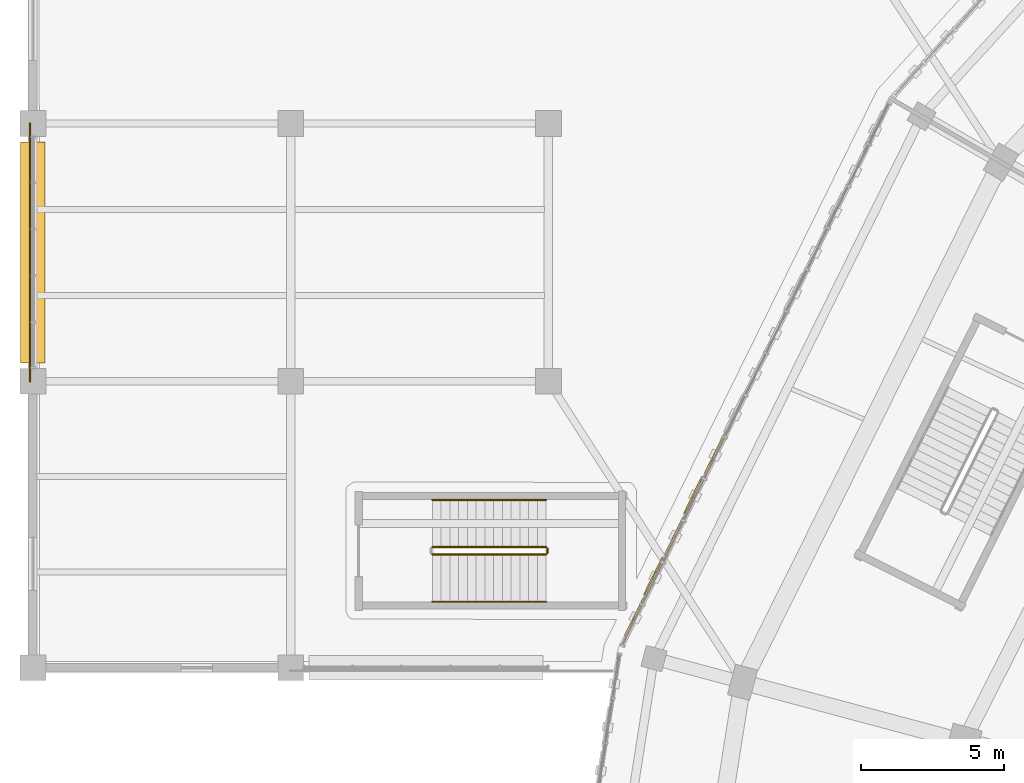
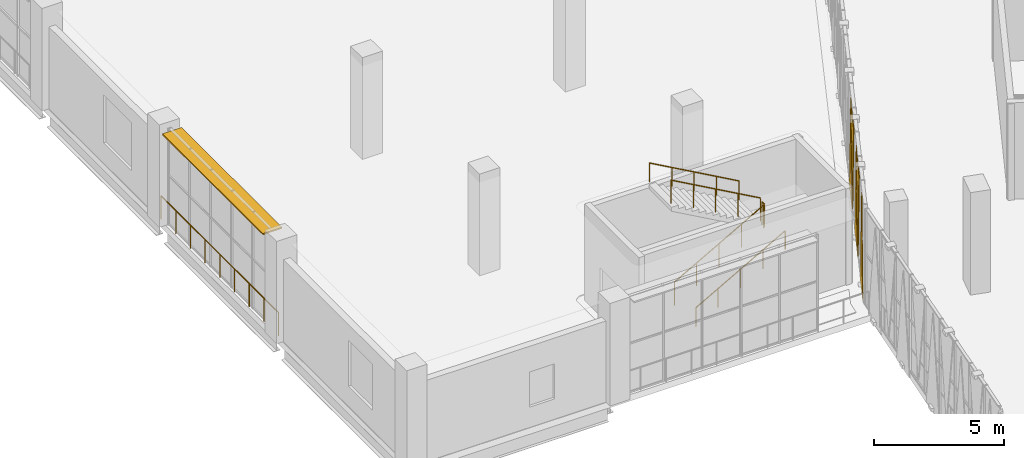
# One storey, part 140 of 183: 6 railings, 5 coverings, 1 shading device.
"""IFC4 building model written with IfcOpenShell, lengths in metres."""

from ifc_helpers import new_model, si_unit, direction, frame, origin, origin_2d, place, context, subcontext, project, spatial, polyline, rectangle, circle, outline, extrude, material, layer, layer_set, type_object, element, save


model = new_model("IFC4")

# Units and contexts
model_context = context("Model", 3, precision=1e-05, world=origin(), true_north=direction((0.0, 1.0)))
body_context = subcontext(model_context, "Body", "Model", "MODEL_VIEW")
ifc_project = project(units=[si_unit("LENGTHUNIT", "METRE"), si_unit("AREAUNIT", "SQUARE_METRE"), si_unit("VOLUMEUNIT", "CUBIC_METRE"), si_unit("PLANEANGLEUNIT", "RADIAN"), si_unit("MASSUNIT", "GRAM", prefix="KILO")], contexts=[model_context])

# Site, building, storey
site_placement = place(None, origin())
site = spatial("IfcSite", under=ifc_project, at=site_placement, CompositionType="ELEMENT")
building_placement = place(site_placement, origin())
building = spatial("IfcBuilding", under=site, at=building_placement, Name="Zevraka Park Crest Stadium", CompositionType="ELEMENT")
storey_placement = place(building_placement, frame((0.0, 0.0, 5.39990234375)))
storey = spatial("IfcBuildingStorey", under=building, at=storey_placement, Name="L01", CompositionType="ELEMENT", Elevation=5.39990234375)

# Coverings
ifc_material_1 = material(Name="Architectural golden-bronze perforated aluminium", Category="aluminium")
ifc_layer_1 = layer(ifc_material_1, 0.034912109375)
ifc_layer_set_1 = layer_set([ifc_layer_1], Name="Architectural golden-bronze perforated aluminium")
covering_type = type_object("IfcCoveringType", Name="CLD01", PredefinedType="CLADDING", material=ifc_layer_set_1)
covering_1_placement = place(storey_placement, frame((24.0830078125, 120.077880859375, -0.260009765625), z_axis=(-0.897363344103, 0.441292429655, 0.000142092747), x_axis=(-0.441292434109, -0.897363353162, 0.0)))
element("IfcCovering", 1, at=covering_1_placement, inside=storey, type_object=covering_type, Name="Triangular Golden-Bronze Perforated Cladding L01-10-9", PredefinedType="CLADDING", context=body_context, shape_type="SweptSolid", body=[
    extrude(outline(polyline([(0.0, 0.0), (1.420720312745091, -1.3552527156068805e-20), (0.710582847250989, 4.600097702688788), (0.0, 0.0)])), origin(), (0.0, 0.0, -1.0), 0.034912109375),
])
covering_2_placement = place(storey_placement, frame((22.758056640625, 117.385009765625, 4.5), z_axis=(0.897229366489, -0.441564778295, 0.000102365016), x_axis=(0.441564780609, 0.89722937119, 0.0)))
element("IfcCovering", 2, at=covering_2_placement, inside=storey, type_object=covering_type, Name="Triangular Golden-Bronze Perforated Cladding L01-10-10", PredefinedType="CLADDING", context=body_context, shape_type="SweptSolid", body=[
    extrude(outline(polyline([(0.0, 0.0), (1.4198440467462223, 6.776263578034403e-21), (0.7101376311761427, -4.2797851786730705), (0.0, 0.0)])), origin(), (0.0, 0.0, -1.0), 0.034912109375),
])
covering_3_placement = place(storey_placement, frame((22.68701171875, 117.240966796875, -0.260009765625), z_axis=(-0.89736335211, 0.441292433592, 4.8410033e-05), x_axis=(-0.441292434109, -0.897363353162, 0.0)))
element("IfcCovering", 3, at=covering_3_placement, inside=storey, type_object=covering_type, Name="Triangular Golden-Bronze Perforated Cladding L01-10-11", PredefinedType="CLADDING", context=body_context, shape_type="SweptSolid", body=[
    extrude(outline(polyline([(0.0, 0.0), (1.420720312745091, 0.0), (0.709706515851417, 4.600097661640237), (0.0, 0.0)])), origin(), (0.0, 0.0, -1.0), 0.034912109375),
])
covering_4_placement = place(storey_placement, frame((21.362060546875, 114.548095703125, 4.5), z_axis=(0.897363342696, -0.441292428963, 0.000152727413), x_axis=(0.441292434109, 0.897363353162, 0.0)))
element("IfcCovering", 4, at=covering_4_placement, inside=storey, type_object=covering_type, Name="Triangular Golden-Bronze Perforated Cladding L01-10-12", PredefinedType="CLADDING", context=body_context, shape_type="SweptSolid", body=[
    extrude(outline(polyline([(0.0, 0.0), (1.420720312745091, 1.3552527156068805e-20), (0.710137465494102, -4.279785206164413), (0.0, 0.0)])), origin(), (0.0, 0.0, -1.0), 0.034912109375),
])
covering_5_placement = place(storey_placement, frame((21.291015625, 114.404052734375, -0.260009765625), z_axis=(-0.897262886806, 0.441496664748, 8.3524968e-05), x_axis=(-0.441496666288, -0.897262889936, 0.0)))
element("IfcCovering", 5, at=covering_5_placement, inside=storey, type_object=covering_type, Name="Triangular Golden-Bronze Perforated Cladding L01-10-13", PredefinedType="CLADDING", context=body_context, shape_type="SweptSolid", body=[
    extrude(outline(polyline([(0.0, 0.0), (1.4200631009776323, 0.0), (0.7097064467833611, 4.600097672296107), (0.0, 0.0)])), origin(), (0.0, 0.0, -1.0), 0.034912109375),
])

# Railings
ifc_material_2 = material(Name="Galvanised and bronze-finished steel balustrade", Category="steel")
railing_type_1 = type_object("IfcRailingType", Name="GR01", PredefinedType="GUARDRAIL", material=ifc_material_2)
railing_1_placement = place(storey_placement, frame((-0.10498046875, 121.990966796875, 0.0)))
element("IfcRailing", 6, at=railing_1_placement, inside=storey, type_object=railing_type_1, Name="Deck Edge Protection Guardrail GR01 L01-51", PredefinedType="GUARDRAIL", context=body_context, shape_type="SweptSolid", body=[
    extrude(circle(Radius=0.02392578125, at=origin_2d()), frame((0.0, 0.0, 1.076171875), z_axis=(0.0, 1.0, 0.0), x_axis=(-1.0, 0.0, 0.0)), (0.0, 0.0, 1.0), 9.01806640625),
    extrude(circle(Radius=0.02099609375, at=origin_2d()), origin(), (0.0, 0.0, 1.0), 1.052001953125),
    extrude(circle(Radius=0.02099609375, at=origin_2d()), frame((0.0, 1.127197265625, 0.0)), (0.0, 0.0, 1.0), 1.052001953125),
    extrude(circle(Radius=0.02099609375, at=origin_2d()), frame((0.0, 2.25439453125, 0.0)), (0.0, 0.0, 1.0), 1.052001953125),
    extrude(circle(Radius=0.02099609375, at=origin_2d()), frame((0.0, 3.3818359375, 0.0)), (0.0, 0.0, 1.0), 1.052001953125),
    extrude(circle(Radius=0.02099609375, at=origin_2d()), frame((0.0, 4.509033203125, 0.0)), (0.0, 0.0, 1.0), 1.052001953125),
    extrude(circle(Radius=0.02099609375, at=origin_2d()), frame((0.0, 5.63623046875, 0.0)), (0.0, 0.0, 1.0), 1.052001953125),
    extrude(circle(Radius=0.02099609375, at=origin_2d()), frame((0.0, 6.763671875, 0.0)), (0.0, 0.0, 1.0), 1.052001953125),
    extrude(circle(Radius=0.02099609375, at=origin_2d()), frame((0.0, 7.890869140625, 0.0)), (0.0, 0.0, 1.0), 1.052001953125),
    extrude(circle(Radius=0.02099609375, at=origin_2d()), frame((0.0, 9.01806640625, 0.0)), (0.0, 0.0, 1.0), 1.052001953125),
])
ifc_material_3 = material(Name="Powder-coated tubular steel stairwell guard", Category="steel")
railing_type_2 = type_object("IfcRailingType", Name="GR03", PredefinedType="GUARDRAIL", material=ifc_material_3)
railing_2_placement = place(storey_placement, frame((13.949951171875, 115.949951171875, 0.171630859375)))
element("IfcRailing", 7, at=railing_2_placement, inside=storey, type_object=railing_type_2, Name="L01 ST48 stair guard 1", PredefinedType="GUARDRAIL", context=body_context, shape_type="SweptSolid", body=[
    extrude(circle(Radius=0.02392578125, at=origin_2d()), frame((0.0, 0.0, 1.076171875), z_axis=(0.871748933509, 0.0, 0.489952851738), x_axis=(0.0, 1.0, 0.0)), (0.0, 0.0, 1.0), 4.54833984375),
    extrude(circle(Radius=0.02099609375, at=origin_2d()), origin(), (0.0, 0.0, 1.0), 1.052001953125),
    extrude(circle(Radius=0.02099609375, at=origin_2d()), frame((0.9912109375, 0.0, 0.55712890625)), (0.0, 0.0, 1.0), 1.052001953125),
    extrude(circle(Radius=0.02099609375, at=origin_2d()), frame((1.982421875, 0.0, 1.1142578125)), (0.0, 0.0, 1.0), 1.052001953125),
    extrude(circle(Radius=0.02099609375, at=origin_2d()), frame((2.973876953125, 0.0, 1.67138671875)), (0.0, 0.0, 1.0), 1.052001953125),
    extrude(circle(Radius=0.02099609375, at=origin_2d()), frame((3.965087890625, 0.0, 2.228515625)), (0.0, 0.0, 1.0), 1.052001953125),
])
railing_3_placement = place(storey_placement, frame((17.965087890625, 116.0, 2.400146484375)))
element("IfcRailing", 8, at=railing_3_placement, inside=storey, type_object=railing_type_2, Name="L01 ST48 stair guard 2", PredefinedType="GUARDRAIL", context=body_context, shape_type="SweptSolid", body=[
    extrude(circle(Radius=0.02392578125, at=origin_2d()), frame((0.0, 0.0, 1.076171875), z_axis=(0.0, 1.0, 0.0), x_axis=(-1.0, 0.0, 0.0)), (0.0, 0.0, 1.0), 0.159912109375),
    extrude(circle(Radius=0.02099609375, at=origin_2d()), origin(), (0.0, 0.0, 1.0), 1.052001953125),
    extrude(circle(Radius=0.02099609375, at=origin_2d()), frame((0.0, 0.159912109375, 0.0)), (0.0, 0.0, 1.0), 1.052001953125),
])
railing_4_placement = place(storey_placement, frame((17.9150390625, 116.2099609375, 2.571533203125)))
element("IfcRailing", 9, at=railing_4_placement, inside=storey, type_object=railing_type_2, Name="L01 ST48 stair guard 3", PredefinedType="GUARDRAIL", context=body_context, shape_type="SweptSolid", body=[
    extrude(circle(Radius=0.02392578125, at=origin_2d()), frame((0.0, 0.0, 1.076171875), z_axis=(-0.871748933509, 0.0, 0.489952851738), x_axis=(0.0, -1.0, 0.0)), (0.0, 0.0, 1.0), 4.54833984375),
    extrude(circle(Radius=0.02099609375, at=origin_2d()), origin(), (0.0, 0.0, 1.0), 1.052001953125),
    extrude(circle(Radius=0.02099609375, at=origin_2d()), frame((-0.9912109375, 0.0, 0.55712890625)), (0.0, 0.0, 1.0), 1.052001953125),
    extrude(circle(Radius=0.02099609375, at=origin_2d()), frame((-1.982421875, 0.0, 1.1142578125)), (0.0, 0.0, 1.0), 1.052001953125),
    extrude(circle(Radius=0.02099609375, at=origin_2d()), frame((-2.973876953125, 0.0, 1.67138671875)), (0.0, 0.0, 1.0), 1.052001953125),
    extrude(circle(Radius=0.02099609375, at=origin_2d()), frame((-3.965087890625, 0.0, 2.228515625)), (0.0, 0.0, 1.0), 1.052001953125),
])
ifc_material_4 = material(Name="Brushed stainless steel continuous handrail", Category="steel")
railing_type_3 = type_object("IfcRailingType", Name="HR01", PredefinedType="HANDRAIL", material=ifc_material_4)
railing_5_placement = place(storey_placement, frame((13.949951171875, 114.300048828125, 0.171630859375)))
element("IfcRailing", 10, at=railing_5_placement, inside=storey, type_object=railing_type_3, Name="L01 ST48 stair handrail 1", PredefinedType="HANDRAIL", context=body_context, shape_type="SweptSolid", body=[
    extrude(circle(Radius=0.02392578125, at=origin_2d()), frame((0.0, 0.0, 0.8759765625), z_axis=(0.871748933509, 0.0, 0.489952851738), x_axis=(0.0, 1.0, 0.0)), (0.0, 0.0, 1.0), 4.54833984375),
    extrude(circle(Radius=0.02099609375, at=origin_2d()), origin(), (0.0, 0.0, 1.0), 0.851806640625),
    extrude(circle(Radius=0.02099609375, at=origin_2d()), frame((0.9912109375, 0.0, 0.55712890625)), (0.0, 0.0, 1.0), 0.851806640625),
    extrude(circle(Radius=0.02099609375, at=origin_2d()), frame((1.982421875, 0.0, 1.1142578125)), (0.0, 0.0, 1.0), 0.851806640625),
    extrude(circle(Radius=0.02099609375, at=origin_2d()), frame((2.973876953125, 0.0, 1.67138671875)), (0.0, 0.0, 1.0), 0.851806640625),
    extrude(circle(Radius=0.02099609375, at=origin_2d()), frame((3.965087890625, 0.0, 2.228515625)), (0.0, 0.0, 1.0), 0.851806640625),
])
railing_6_placement = place(storey_placement, frame((17.9150390625, 117.860107421875, 2.571533203125)))
element("IfcRailing", 11, at=railing_6_placement, inside=storey, type_object=railing_type_3, Name="L01 ST48 stair handrail 2", PredefinedType="HANDRAIL", context=body_context, shape_type="SweptSolid", body=[
    extrude(circle(Radius=0.02392578125, at=origin_2d()), frame((0.0, 0.0, 0.8759765625), z_axis=(-0.871748933509, 0.0, 0.489952851738), x_axis=(0.0, -1.0, 0.0)), (0.0, 0.0, 1.0), 4.54833984375),
    extrude(circle(Radius=0.02099609375, at=origin_2d()), origin(), (0.0, 0.0, 1.0), 0.851806640625),
    extrude(circle(Radius=0.02099609375, at=origin_2d()), frame((-0.9912109375, 0.0, 0.55712890625)), (0.0, 0.0, 1.0), 0.851806640625),
    extrude(circle(Radius=0.02099609375, at=origin_2d()), frame((-1.982421875, 0.0, 1.1142578125)), (0.0, 0.0, 1.0), 0.851806640625),
    extrude(circle(Radius=0.02099609375, at=origin_2d()), frame((-2.973876953125, 0.0, 1.67138671875)), (0.0, 0.0, 1.0), 0.851806640625),
    extrude(circle(Radius=0.02099609375, at=origin_2d()), frame((-3.965087890625, 0.0, 2.228515625)), (0.0, 0.0, 1.0), 0.851806640625),
])

# Shading device
ifc_material_5 = material(Name="Architectural golden-bronze anodised bronze", Category="aluminium")
ifc_layer_2 = layer(ifc_material_5, 0.06005859375)
ifc_layer_set_2 = layer_set([ifc_layer_2], Name="Architectural golden-bronze anodised bronze")
shading_device_type = type_object("IfcShadingDeviceType", Name="SHD01", PredefinedType="USERDEFINED", material=ifc_layer_set_2)
shading_device_placement = place(storey_placement, frame((0.0, 126.5, 4.440185546875), z_axis=(0.0, 0.0, 1.0), x_axis=(0.0, 1.0, 0.0)))
element("IfcShadingDevice", 12, at=shading_device_placement, inside=storey, type_object=shading_device_type, Name="Wing Bronze Solar Screen SHD01 L01-NW-W-2", ObjectType="SOLAR SCREEN", PredefinedType="USERDEFINED", context=body_context, shape_type="SweptSolid", body=[
    extrude(rectangle(XDim=7.719970703125, YDim=0.85009765625, at=origin_2d()), origin(), (0.0, 0.0, 1.0), 0.06005859375),
])

save(model, "model.ifc")
